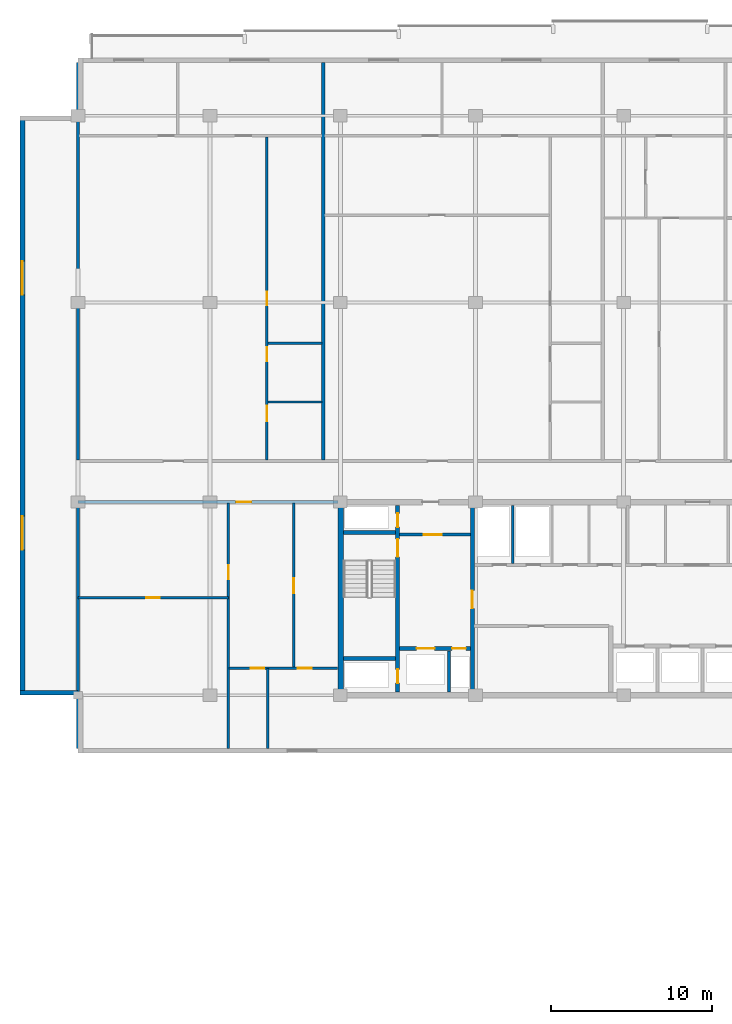
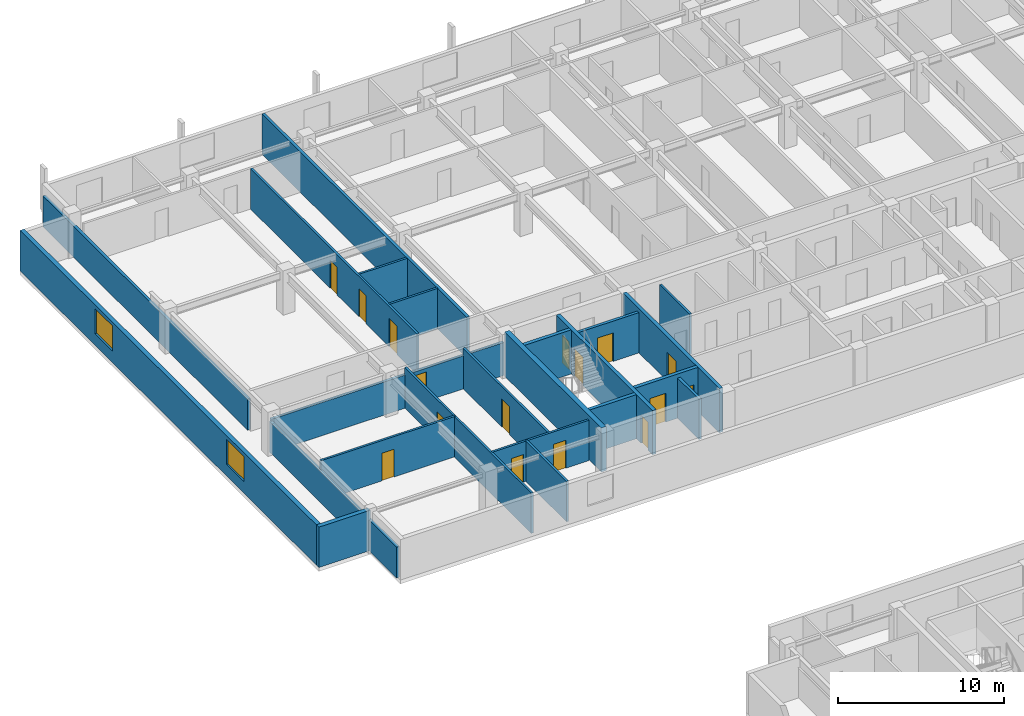
# One storey, part 10 of 21: 23 walls, 16 doors, 2 windows, 18 openings.
"""IFC4 building model written with IfcOpenShell, lengths in metres."""

from ifc_helpers import new_model, si_unit, direction, frame, frame_2d, origin, place, context, subcontext, project, spatial, rectangle, extrude, material, layer, layer_set, type_object, element, fill, save


model = new_model("IFC4")

# Units and contexts
model_context = context("Model", 3, precision=1e-05, world=origin(), true_north=direction((0.0, 1.0)))
body_context = subcontext(model_context, "Body", "Model", "MODEL_VIEW")
ifc_project = project(units=[si_unit("LENGTHUNIT", "METRE"), si_unit("AREAUNIT", "SQUARE_METRE"), si_unit("VOLUMEUNIT", "CUBIC_METRE"), si_unit("PLANEANGLEUNIT", "RADIAN"), si_unit("MASSUNIT", "GRAM", prefix="KILO")], contexts=[model_context])

# Site, building, storey
site_placement = place(None, origin())
site = spatial("IfcSite", under=ifc_project, at=site_placement, CompositionType="ELEMENT")
building_placement = place(site_placement, origin())
building = spatial("IfcBuilding", under=site, at=building_placement, Name="Korimba Cascade Residences", CompositionType="ELEMENT")
storey_placement = place(building_placement, frame((0.0, 0.0, 171.85009765625)))
storey = spatial("IfcBuildingStorey", under=building, at=storey_placement, Name="L49", CompositionType="ELEMENT", Elevation=171.85009765625)

# Wall, openings, windows
ifc_material_1 = material(Name="Precast concrete C40/50", Category="concrete")
ifc_layer_1 = layer(ifc_material_1, 0.300048828125)
ifc_layer_set_1 = layer_set([ifc_layer_1], Name="Precast concrete C40/50")
wall_type_1 = type_object("IfcWallType", Name="EW-STONE-300", PredefinedType="STANDARD", material=ifc_layer_set_1)
wall_1_placement = place(storey_placement, frame((56.35009765625, 91.199951171875, 0.0), z_axis=(0.0, 0.0, 1.0), x_axis=(0.0, -1.0, 0.0)))
wall_1 = element("IfcWall", 1, at=wall_1_placement, inside=storey, type_object=wall_type_1, Name="L49 T1 Perimeter Stone Wall E09", PredefinedType="STANDARD", context=body_context, shape_type="SweptSolid", body=[
    extrude(rectangle(XDim=36.0, YDim=0.300048828125, at=frame_2d((18.0, 0.0))), origin(), (0.0, 0.0, 1.0), 2.969970703125),
])
opening_1_placement = place(wall_1_placement, frame((9.030029296875, 0.0, 0.85009765625)))
opening_1 = element("IfcOpeningElement", 2, at=opening_1_placement, cuts=wall_1, Name="Opening W-03", PredefinedType="OPENING", context=body_context, shape_type="SweptSolid", body=[
    extrude(rectangle(XDim=2.10009765625, YDim=1.85009765625, at=frame_2d((1.050048828125, 0.925048828125))), frame((0.0, 0.16015625, 0.0), z_axis=(0.0, -1.0, 0.0), x_axis=(1.0, 0.0, 0.0)), (0.0, 0.0, 1.0), 0.320068359375),
])
opening_2_placement = place(wall_1_placement, frame((24.8701171875, 0.0, 0.85009765625)))
opening_2 = element("IfcOpeningElement", 3, at=opening_2_placement, cuts=wall_1, Name="Opening W-03", PredefinedType="OPENING", context=body_context, shape_type="SweptSolid", body=[
    extrude(rectangle(XDim=2.10009765625, YDim=1.85009765625, at=frame_2d((1.050048828125, 0.925048828125))), frame((0.0, 0.16015625, 0.0), z_axis=(0.0, -1.0, 0.0), x_axis=(1.0, 0.0, 0.0)), (0.0, 0.0, 1.0), 0.320068359375),
])
ifc_material_2 = material(Name="Double-Glazed Aluminium Window", Category="aluminium")
window_type = type_object("IfcWindowType", Name="WIN-CRN-2100", PartitioningType="DOUBLE_PANEL_HORIZONTAL", PredefinedType="WINDOW", material=ifc_material_2)
window_1_placement = place(opening_1_placement, origin())
window_1 = element("IfcWindow", 4, at=window_1_placement, inside=storey, type_object=window_type, Name="L49 T1 End View Window 9.1", OverallHeight=1.85009765625, OverallWidth=2.10009765625, PartitioningType="DOUBLE_PANEL_HORIZONTAL", PredefinedType="WINDOW", context=body_context, shape_type="SweptSolid", body=[
    extrude(rectangle(XDim=2.10009765625, YDim=1.85009765625, at=frame_2d((1.050048828125, 0.925048828125))), frame((0.0, 0.030029296875, 0.0), z_axis=(0.0, -1.0, 0.0), x_axis=(1.0, 0.0, 0.0)), (0.0, 0.0, 1.0), 0.06005859375),
])
fill(opening_1, window_1)
window_2_placement = place(opening_2_placement, origin())
window_2 = element("IfcWindow", 5, at=window_2_placement, inside=storey, type_object=window_type, Name="L49 T1 End View Window 9.2", OverallHeight=1.85009765625, OverallWidth=2.10009765625, PartitioningType="DOUBLE_PANEL_HORIZONTAL", PredefinedType="WINDOW", context=body_context, shape_type="SweptSolid", body=[
    extrude(rectangle(XDim=2.10009765625, YDim=1.85009765625, at=frame_2d((1.050048828125, 0.925048828125))), frame((0.0, 0.030029296875, 0.0), z_axis=(0.0, -1.0, 0.0), x_axis=(1.0, 0.0, 0.0)), (0.0, 0.0, 1.0), 0.06005859375),
])
fill(opening_2, window_2)

# Walls
wall_2_placement = place(storey_placement, frame((56.199951171875, 55.35009765625, 0.0), z_axis=(0.0, 0.0, 1.0), x_axis=(1.0, 0.0, 0.0)))
element("IfcWall", 6, at=wall_2_placement, inside=storey, type_object=wall_type_1, Name="L49 T1 Perimeter Stone Wall E10", PredefinedType="STANDARD", context=body_context, shape_type="SweptSolid", body=[
    extrude(rectangle(XDim=3.60009765625, YDim=0.300048828125, at=frame_2d((1.800048828125, 0.0))), origin(), (0.0, 0.0, 1.0), 2.969970703125),
])
ifc_material_3 = material(Name="Concrete C65/80", Category="concrete")
ifc_layer_2 = layer(ifc_material_3, 0.35009765625)
ifc_layer_set_2 = layer_set([ifc_layer_2], Name="Concrete C65/80")
wall_type_2 = type_object("IfcWallType", Name="WAL-CORE-350", PredefinedType="SHEAR", material=ifc_layer_set_2)
wall_3_placement = place(storey_placement, frame((76.125, 55.375, 0.0), z_axis=(0.0, 0.0, 1.0), x_axis=(0.0, 1.0, 0.0)))
element("IfcWall", 7, at=wall_3_placement, inside=storey, type_object=wall_type_2, Name="L49 Core Shear Wall CW-L49-T1-W", PredefinedType="SHEAR", context=body_context, shape_type="SweptSolid", body=[
    extrude(rectangle(XDim=11.64990234375, YDim=0.35009765625, at=frame_2d((5.824951171875, 0.0))), origin(), (0.0, 0.0, 1.0), 3.25),
])
ifc_layer_3 = layer(ifc_material_1, 0.199951171875)
ifc_layer_set_3 = layer_set([ifc_layer_3], Name="Precast concrete C40/50")
wall_type_3 = type_object("IfcWallType", Name="WAL-IT-200", PredefinedType="PARTITIONING", material=ifc_layer_set_3)
wall_4_placement = place(storey_placement, frame((59.800048828125, 51.89990234375, 0.0), z_axis=(0.0, 0.0, 1.0), x_axis=(0.0, 1.0, 0.0)))
element("IfcWall", 8, at=wall_4_placement, inside=storey, type_object=wall_type_3, Name="L49 Partition Wall WAL-L49-T1-FW-WL", PredefinedType="PARTITIONING", context=body_context, shape_type="SweptSolid", body=[
    extrude(rectangle(XDim=15.300048828125, YDim=0.199951171875, at=frame_2d((7.64990234375, 0.0))), origin(), (0.0, 0.0, 1.0), 2.277099609375),
])

# Wall, opening, door
wall_5_placement = place(storey_placement, frame((59.800048828125, 67.199951171875, 0.0), z_axis=(0.0, 0.0, 1.0), x_axis=(1.0, 0.0, 0.0)))
wall_5 = element("IfcWall", 9, at=wall_5_placement, inside=storey, type_object=wall_type_3, Name="L49 Partition Wall WAL-L49-T1-FW-N", PredefinedType="PARTITIONING", context=body_context, shape_type="SweptSolid", body=[
    extrude(rectangle(XDim=16.14990234375, YDim=0.199951171875, at=frame_2d((8.074951171875, 0.0))), origin(), (0.0, 0.0, 1.0), 2.43310546875),
])
opening_3_placement = place(wall_5_placement, frame((9.823486328125, 0.0, 0.0)))
opening_3 = element("IfcOpeningElement", 10, at=opening_3_placement, cuts=wall_5, Name="Opening D-UN1", PredefinedType="OPENING", context=body_context, shape_type="SweptSolid", body=[
    extrude(rectangle(XDim=0.949951171875, YDim=2.14990234375, at=frame_2d((0.47509765625, 1.074951171875))), frame((0.0, 0.10986328125, 0.0), z_axis=(0.0, -1.0, 0.0), x_axis=(1.0, 0.0, 0.0)), (0.0, 0.0, 1.0), 0.219970703125),
])
ifc_material_4 = material(Name="Fire-Rated Hardwood Apartment Entrance Door", Category="wood")
door_type_1 = type_object("IfcDoorType", Name="DR-FD60-950", OperationType="NOTDEFINED", PredefinedType="DOOR", material=ifc_material_4)
door_1_placement = place(opening_3_placement, origin())
door_1 = element("IfcDoor", 11, at=door_1_placement, inside=storey, type_object=door_type_1, Name="L49-T1-FW Entrance Door", OperationType="SINGLE_SWING_RIGHT", OverallHeight=2.14990234375, OverallWidth=0.949951171875, PredefinedType="DOOR", context=body_context, shape_type="SweptSolid", body=[
    extrude(rectangle(XDim=0.949951171875, YDim=2.14990234375, at=frame_2d((0.47509765625, 1.074951171875))), frame((0.0, 0.02490234375, 0.0), z_axis=(0.0, -1.0, 0.0), x_axis=(1.0, 0.0, 0.0)), (0.0, 0.0, 1.0), 0.050048828125),
])
fill(opening_3, door_1)

# Walls
wall_6_placement = place(storey_placement, frame((59.800048828125, 69.830078125, 0.0), z_axis=(0.0, 0.0, 1.0), x_axis=(0.0, 1.0, 0.0)))
element("IfcWall", 12, at=wall_6_placement, inside=storey, type_object=wall_type_3, Name="L49 Partition Wall WAL-L49-T1-BNDWL", PredefinedType="PARTITIONING", context=body_context, shape_type="SweptSolid", body=[
    extrude(rectangle(XDim=24.669921875, YDim=0.199951171875, at=frame_2d((12.3349609375, 0.0))), origin(), (0.0, 0.0, 1.0), 2.277099609375),
])
wall_7_placement = place(storey_placement, frame((75.04150390625, 69.830078125, 0.0), z_axis=(0.0, 0.0, 1.0), x_axis=(0.0, 1.0, 0.0)))
element("IfcWall", 13, at=wall_7_placement, inside=storey, type_object=wall_type_3, Name="L49 Partition Wall WAL-L49-T1-DEM-1", PredefinedType="PARTITIONING", context=body_context, shape_type="SweptSolid", body=[
    extrude(rectangle(XDim=24.669921875, YDim=0.199951171875, at=frame_2d((12.3349609375, 0.0))), origin(), (0.0, 0.0, 1.0), 2.969970703125),
])
ifc_material_5 = material(Name="Insulated Acoustic Stud Partition", Category="gypsum")
ifc_layer_4 = layer(ifc_material_5, 0.14990234375)
ifc_layer_set_4 = layer_set([ifc_layer_4], Name="Insulated Acoustic Stud Partition")
wall_type_4 = type_object("IfcWallType", Name="WAL-PART-150", PredefinedType="PARTITIONING", material=ifc_layer_set_4)
wall_8_placement = place(storey_placement, frame((86.800048828125, 63.39990234375, 0.0), z_axis=(0.0, 0.0, 1.0), x_axis=(0.0, 1.0, 0.0)))
element("IfcWall", 14, at=wall_8_placement, inside=storey, type_object=wall_type_4, Name="L49 Partition Wall CW-L49-T1-ERDIV", PredefinedType="PARTITIONING", context=body_context, shape_type="SweptSolid", body=[
    extrude(rectangle(XDim=3.60009765625, YDim=0.14990234375, at=frame_2d((1.800048828125, 0.0))), origin(), (0.0, 0.0, 1.0), 2.969970703125),
])

# Wall, opening, door
wall_9_placement = place(storey_placement, frame((59.800048828125, 61.25, 0.0), z_axis=(0.0, 0.0, 1.0), x_axis=(1.0, 0.0, 0.0)))
wall_9 = element("IfcWall", 15, at=wall_9_placement, inside=storey, type_object=wall_type_4, Name="L49 Partition Wall WAL-L49-T1-FW-STH", PredefinedType="PARTITIONING", context=body_context, shape_type="SweptSolid", body=[
    extrude(rectangle(XDim=9.349853515625, YDim=0.14990234375, at=frame_2d((4.6748046875, 0.0))), origin(), (0.0, 0.0, 1.0), 2.969970703125),
])
opening_4_placement = place(wall_9_placement, frame((4.2548828125, 0.0, 0.0)))
opening_4 = element("IfcOpeningElement", 16, at=opening_4_placement, cuts=wall_9, Name="Opening D-BT1", PredefinedType="OPENING", context=body_context, shape_type="SweptSolid", body=[
    extrude(rectangle(XDim=0.840087890625, YDim=2.0400390625, at=frame_2d((0.419921875, 1.02001953125))), frame((0.0, 0.0849609375, 0.0), z_axis=(0.0, -1.0, 0.0), x_axis=(1.0, 0.0, 0.0)), (0.0, 0.0, 1.0), 0.169921875),
])
ifc_material_6 = material(Name="Moisture-Resistant Bathroom Timber Door", Category="wood")
door_type_2 = type_object("IfcDoorType", Name="DR-INT-850", OperationType="NOTDEFINED", PredefinedType="DOOR", material=ifc_material_6)
door_2_placement = place(opening_4_placement, origin())
door_2 = element("IfcDoor", 17, at=door_2_placement, inside=storey, type_object=door_type_2, Name="L49-T1-FW Dressing Store Door", OperationType="SINGLE_SWING_LEFT", OverallHeight=2.0400390625, OverallWidth=0.840087890625, PredefinedType="DOOR", context=body_context, shape_type="SweptSolid", body=[
    extrude(rectangle(XDim=0.840087890625, YDim=2.0400390625, at=frame_2d((0.419921875, 1.02001953125))), frame((0.0, 0.02490234375, 0.0), z_axis=(0.0, -1.0, 0.0), x_axis=(1.0, 0.0, 0.0)), (0.0, 0.0, 1.0), 0.050048828125),
])
fill(opening_4, door_2)

wall_10_placement = place(storey_placement, frame((69.14990234375, 51.89990234375, 0.0), z_axis=(0.0, 0.0, 1.0), x_axis=(0.0, 1.0, 0.0)))
wall_10 = element("IfcWall", 18, at=wall_10_placement, inside=storey, type_object=wall_type_4, Name="L49 Partition Wall WAL-L49-T1-FW-STV", PredefinedType="PARTITIONING", context=body_context, shape_type="SweptSolid", body=[
    extrude(rectangle(XDim=15.25, YDim=0.14990234375, at=frame_2d((7.625, 0.0))), origin(), (0.0, 0.0, 1.0), 2.969970703125),
])
opening_5_placement = place(wall_10_placement, frame((10.5, 0.0, 0.0)))
opening_5 = element("IfcOpeningElement", 19, at=opening_5_placement, cuts=wall_10, Name="Opening D-IN2", PredefinedType="OPENING", context=body_context, shape_type="SweptSolid", body=[
    extrude(rectangle(XDim=0.8798828125, YDim=2.06005859375, at=frame_2d((0.43994140625, 1.030029296875))), frame((0.0, 0.0849609375, 0.0), z_axis=(0.0, -1.0, 0.0), x_axis=(1.0, 0.0, 0.0)), (0.0, 0.0, 1.0), 0.169921875),
])
ifc_material_7 = material(Name="Acoustic Timber Bedroom Door", Category="wood")
door_type_3 = type_object("IfcDoorType", Name="DR-INT-880", OperationType="NOTDEFINED", PredefinedType="DOOR", material=ifc_material_7)
door_3_placement = place(opening_5_placement, origin())
door_3 = element("IfcDoor", 20, at=door_3_placement, inside=storey, type_object=door_type_3, Name="L49-T1-FW Study Door", OperationType="SINGLE_SWING_RIGHT", OverallHeight=2.06005859375, OverallWidth=0.8798828125, PredefinedType="DOOR", context=body_context, shape_type="SweptSolid", body=[
    extrude(rectangle(XDim=0.8798828125, YDim=2.06005859375, at=frame_2d((0.43994140625, 1.030029296875))), frame((0.0, 0.02490234375, 0.0), z_axis=(0.0, -1.0, 0.0), x_axis=(1.0, 0.0, 0.0)), (0.0, 0.0, 1.0), 0.050048828125),
])
fill(opening_5, door_3)

wall_11_placement = place(storey_placement, frame((73.199951171875, 56.8701171875, 0.0), z_axis=(0.0, 0.0, 1.0), x_axis=(0.0, 1.0, 0.0)))
wall_11 = element("IfcWall", 21, at=wall_11_placement, inside=storey, type_object=wall_type_4, Name="L49 Partition Wall WAL-L49-T1-FW-VN", PredefinedType="PARTITIONING", context=body_context, shape_type="SweptSolid", body=[
    extrude(rectangle(XDim=10.27978515625, YDim=0.14990234375, at=frame_2d((5.139892578125, 0.0))), origin(), (0.0, 0.0, 1.0), 2.969970703125),
])
opening_6_placement = place(wall_11_placement, frame((4.679931640625, 0.0, 0.0)))
opening_6 = element("IfcOpeningElement", 22, at=opening_6_placement, cuts=wall_11, Name="Opening D-IN1", PredefinedType="OPENING", context=body_context, shape_type="SweptSolid", body=[
    extrude(rectangle(XDim=0.919921875, YDim=2.080078125, at=frame_2d((0.4599609375, 1.0400390625))), frame((0.0, 0.0849609375, 0.0), z_axis=(0.0, -1.0, 0.0), x_axis=(1.0, 0.0, 0.0)), (0.0, 0.0, 1.0), 0.169921875),
])
ifc_material_8 = material(Name="Acoustic Timber Living Door", Category="wood")
door_type_4 = type_object("IfcDoorType", Name="DR-INT-920", OperationType="NOTDEFINED", PredefinedType="DOOR", material=ifc_material_8)
door_4_placement = place(opening_6_placement, origin())
door_4 = element("IfcDoor", 23, at=door_4_placement, inside=storey, type_object=door_type_4, Name="L49-T1-FW Living Door", OperationType="SINGLE_SWING_LEFT", OverallHeight=2.080078125, OverallWidth=0.919921875, PredefinedType="DOOR", context=body_context, shape_type="SweptSolid", body=[
    extrude(rectangle(XDim=0.919921875, YDim=2.080078125, at=frame_2d((0.4599609375, 1.0400390625))), frame((0.0, 0.02490234375, 0.0), z_axis=(0.0, -1.0, 0.0), x_axis=(1.0, 0.0, 0.0)), (0.0, 0.0, 1.0), 0.050048828125),
])
fill(opening_6, door_4)

# Wall
wall_12_placement = place(storey_placement, frame((71.60009765625, 51.89990234375, 0.0), z_axis=(0.0, 0.0, 1.0), x_axis=(0.0, 1.0, 0.0)))
element("IfcWall", 24, at=wall_12_placement, inside=storey, type_object=wall_type_4, Name="L49 Partition Wall WAL-L49-T1-FW-VS", PredefinedType="PARTITIONING", context=body_context, shape_type="SweptSolid", body=[
    extrude(rectangle(XDim=4.97021484375, YDim=0.14990234375, at=frame_2d((2.485107421875, 0.0))), origin(), (0.0, 0.0, 1.0), 2.969970703125),
])

# Wall, openings, doors
wall_13_placement = place(storey_placement, frame((69.169921875, 56.8701171875, 0.0), z_axis=(0.0, 0.0, 1.0), x_axis=(1.0, 0.0, 0.0)))
wall_13 = element("IfcWall", 25, at=wall_13_placement, inside=storey, type_object=wall_type_4, Name="L49 Partition Wall WAL-L49-T1-FW-H", PredefinedType="PARTITIONING", context=body_context, shape_type="SweptSolid", body=[
    extrude(rectangle(XDim=6.760009765625, YDim=0.14990234375, at=frame_2d((3.3798828125, 0.0))), origin(), (0.0, 0.0, 1.0), 2.969970703125),
])
opening_7_placement = place(wall_13_placement, frame((1.3623046875, 0.0, 0.0)))
opening_7 = element("IfcOpeningElement", 26, at=opening_7_placement, cuts=wall_13, Name="Opening D-BT1", PredefinedType="OPENING", context=body_context, shape_type="SweptSolid", body=[
    extrude(rectangle(XDim=0.840087890625, YDim=2.0400390625, at=frame_2d((0.419921875, 1.02001953125))), frame((0.0, 0.0849609375, 0.0), z_axis=(0.0, -1.0, 0.0), x_axis=(1.0, 0.0, 0.0)), (0.0, 0.0, 1.0), 0.169921875),
])
opening_8_placement = place(wall_13_placement, frame((4.276611328125, 0.0, 0.0)))
opening_8 = element("IfcOpeningElement", 27, at=opening_8_placement, cuts=wall_13, Name="Opening D-IN2", PredefinedType="OPENING", context=body_context, shape_type="SweptSolid", body=[
    extrude(rectangle(XDim=0.8798828125, YDim=2.06005859375, at=frame_2d((0.43994140625, 1.030029296875))), frame((0.0, 0.0849609375, 0.0), z_axis=(0.0, -1.0, 0.0), x_axis=(1.0, 0.0, 0.0)), (0.0, 0.0, 1.0), 0.169921875),
])
door_5_placement = place(opening_7_placement, origin())
door_5 = element("IfcDoor", 28, at=door_5_placement, inside=storey, type_object=door_type_2, Name="L49-T1-FW Bathroom Door", OperationType="SINGLE_SWING_RIGHT", OverallHeight=2.0400390625, OverallWidth=0.840087890625, PredefinedType="DOOR", context=body_context, shape_type="SweptSolid", body=[
    extrude(rectangle(XDim=0.840087890625, YDim=2.0400390625, at=frame_2d((0.419921875, 1.02001953125))), frame((0.0, 0.02490234375, 0.0), z_axis=(0.0, -1.0, 0.0), x_axis=(1.0, 0.0, 0.0)), (0.0, 0.0, 1.0), 0.050048828125),
])
fill(opening_7, door_5)
door_6_placement = place(opening_8_placement, origin())
door_6 = element("IfcDoor", 29, at=door_6_placement, inside=storey, type_object=door_type_3, Name="L49-T1-FW Bedroom Door", OperationType="SINGLE_SWING_LEFT", OverallHeight=2.06005859375, OverallWidth=0.8798828125, PredefinedType="DOOR", context=body_context, shape_type="SweptSolid", body=[
    extrude(rectangle(XDim=0.8798828125, YDim=2.06005859375, at=frame_2d((0.43994140625, 1.030029296875))), frame((0.0, 0.02490234375, 0.0), z_axis=(0.0, -1.0, 0.0), x_axis=(1.0, 0.0, 0.0)), (0.0, 0.0, 1.0), 0.050048828125),
])
fill(opening_8, door_6)

# Walls
for number, where, z_axis, x_axis, name in (
    (30, (71.601318359375, 73.419921875, 0.0), (0.0, 0.0, 1.0), (1.0, 0.0, 0.0), "L49 Partition Wall WAL-L49-T1-U01-WCH"),
    (31, (71.601318359375, 77.070068359375, 0.0), (0.0, 0.0, 1.0), (1.0, 0.0, 0.0), "L49 Partition Wall WAL-L49-T1-U01-WCH2"),
):
    element("IfcWall", number, at=place(storey_placement, frame(where, z_axis=z_axis, x_axis=x_axis)), inside=storey, type_object=wall_type_4, Name=name, PredefinedType="PARTITIONING", context=body_context, shape_type="SweptSolid", body=[
        extrude(rectangle(XDim=3.360107421875, YDim=0.14990234375, at=frame_2d((1.68017578125, 0.0))), origin(), (0.0, 0.0, 1.0), 2.969970703125),
    ])

# Wall, openings, doors
wall_14_placement = place(storey_placement, frame((71.54150390625, 69.81005859375, 0.0), z_axis=(0.0, 0.0, 1.0), x_axis=(0.0, 1.0, 0.0)))
wall_14 = element("IfcWall", 32, at=wall_14_placement, inside=storey, type_object=wall_type_4, Name="L49 Partition Wall WAL-L49-T1-U01-WCV", PredefinedType="PARTITIONING", context=body_context, shape_type="SweptSolid", body=[
    extrude(rectangle(XDim=20.079833984375, YDim=0.14990234375, at=frame_2d((10.0400390625, 0.0))), origin(), (0.0, 0.0, 1.0), 2.969970703125),
])
opening_9_placement = place(wall_14_placement, frame((2.406005859375, 0.0, 0.0)))
opening_9 = element("IfcOpeningElement", 33, at=opening_9_placement, cuts=wall_14, Name="Opening D-AC1", PredefinedType="OPENING", context=body_context, shape_type="SweptSolid", body=[
    extrude(rectangle(XDim=0.9599609375, YDim=2.10009765625, at=frame_2d((0.47998046875, 1.050048828125))), frame((0.0, 0.0849609375, 0.0), z_axis=(0.0, -1.0, 0.0), x_axis=(1.0, 0.0, 0.0)), (0.0, 0.0, 1.0), 0.169921875),
])
opening_10_placement = place(wall_14_placement, frame((6.132568359375, 0.0, 0.0)))
opening_10 = element("IfcOpeningElement", 34, at=opening_10_placement, cuts=wall_14, Name="Opening D-IN2", PredefinedType="OPENING", context=body_context, shape_type="SweptSolid", body=[
    extrude(rectangle(XDim=0.8798828125, YDim=2.06005859375, at=frame_2d((0.43994140625, 1.030029296875))), frame((0.0, 0.0849609375, 0.0), z_axis=(0.0, -1.0, 0.0), x_axis=(1.0, 0.0, 0.0)), (0.0, 0.0, 1.0), 0.169921875),
])
opening_11_placement = place(wall_14_placement, frame((9.6201171875, 0.0, 0.0)))
opening_11 = element("IfcOpeningElement", 35, at=opening_11_placement, cuts=wall_14, Name="Opening D-BT1", PredefinedType="OPENING", context=body_context, shape_type="SweptSolid", body=[
    extrude(rectangle(XDim=0.840087890625, YDim=2.0400390625, at=frame_2d((0.419921875, 1.02001953125))), frame((0.0, 0.0849609375, 0.0), z_axis=(0.0, -1.0, 0.0), x_axis=(1.0, 0.0, 0.0)), (0.0, 0.0, 1.0), 0.169921875),
])
ifc_material_9 = material(Name="Accessible Acoustic Timber WC Door", Category="wood")
door_type_5 = type_object("IfcDoorType", Name="DR-ACC-950", OperationType="NOTDEFINED", PredefinedType="DOOR", material=ifc_material_9)
door_7_placement = place(opening_9_placement, origin())
door_7 = element("IfcDoor", 36, at=door_7_placement, inside=storey, type_object=door_type_5, Name="L49-T1-U01 Accessible WC Door", OperationType="SINGLE_SWING_LEFT", OverallHeight=2.10009765625, OverallWidth=0.9599609375, PredefinedType="DOOR", context=body_context, shape_type="SweptSolid", body=[
    extrude(rectangle(XDim=0.9599609375, YDim=2.10009765625, at=frame_2d((0.47998046875, 1.050048828125))), frame((0.0, 0.02490234375, 0.0), z_axis=(0.0, -1.0, 0.0), x_axis=(1.0, 0.0, 0.0)), (0.0, 0.0, 1.0), 0.050048828125),
])
fill(opening_9, door_7)
door_8_placement = place(opening_11_placement, origin())
door_8 = element("IfcDoor", 37, at=door_8_placement, inside=storey, type_object=door_type_2, Name="L49-T1-U01 Suite Store Door", OperationType="SINGLE_SWING_LEFT", OverallHeight=2.0400390625, OverallWidth=0.840087890625, PredefinedType="DOOR", context=body_context, shape_type="SweptSolid", body=[
    extrude(rectangle(XDim=0.840087890625, YDim=2.0400390625, at=frame_2d((0.419921875, 1.02001953125))), frame((0.0, 0.02490234375, 0.0), z_axis=(0.0, -1.0, 0.0), x_axis=(1.0, 0.0, 0.0)), (0.0, 0.0, 1.0), 0.050048828125),
])
fill(opening_11, door_8)
door_9_placement = place(opening_10_placement, origin())
door_9 = element("IfcDoor", 38, at=door_9_placement, inside=storey, type_object=door_type_3, Name="L49-T1-U01 Restroom WC Door", OperationType="SINGLE_SWING_RIGHT", OverallHeight=2.06005859375, OverallWidth=0.8798828125, PredefinedType="DOOR", context=body_context, shape_type="SweptSolid", body=[
    extrude(rectangle(XDim=0.8798828125, YDim=2.06005859375, at=frame_2d((0.43994140625, 1.030029296875))), frame((0.0, 0.02490234375, 0.0), z_axis=(0.0, -1.0, 0.0), x_axis=(1.0, 0.0, 0.0)), (0.0, 0.0, 1.0), 0.050048828125),
])
fill(opening_10, door_9)

# Wall
ifc_material_10 = material(Name="Concrete C40/50", Category="concrete")
ifc_layer_5 = layer(ifc_material_10, 0.199951171875)
ifc_layer_set_5 = layer_set([ifc_layer_5], Name="Concrete C40/50")
wall_type_5 = type_object("IfcWallType", Name="WAL-PART-200", PredefinedType="PARTITIONING", material=ifc_layer_set_5)
wall_15_placement = place(storey_placement, frame((82.85009765625, 55.39990234375, 0.0), z_axis=(0.0, 0.0, 1.0), x_axis=(0.0, 1.0, 0.0)))
element("IfcWall", 39, at=wall_15_placement, inside=storey, type_object=wall_type_5, Name="L49 Partition Wall CW-L49-T1-FFLDIV", PredefinedType="PARTITIONING", context=body_context, shape_type="SweptSolid", body=[
    extrude(rectangle(XDim=2.56005859375, YDim=0.199951171875, at=frame_2d((1.280029296875, 0.0))), origin(), (0.0, 0.0, 1.0), 2.969970703125),
])

# Wall, opening, door
wall_16_placement = place(storey_placement, frame((79.7900390625, 65.179931640625, 0.0), z_axis=(0.0, 0.0, 1.0), x_axis=(1.0, 0.0, 0.0)))
wall_16 = element("IfcWall", 40, at=wall_16_placement, inside=storey, type_object=wall_type_5, Name="L49 Partition Wall CW-L49-T1-FFLN", PredefinedType="PARTITIONING", context=body_context, shape_type="SweptSolid", body=[
    extrude(rectangle(XDim=4.389892578125, YDim=0.199951171875, at=frame_2d((2.19482421875, 0.0))), origin(), (0.0, 0.0, 1.0), 2.969970703125),
])
opening_12_placement = place(wall_16_placement, frame((1.5, 0.0, 0.0)))
opening_12 = element("IfcOpeningElement", 41, at=opening_12_placement, cuts=wall_16, Name="Opening D-FD1", PredefinedType="OPENING", context=body_context, shape_type="SweptSolid", body=[
    extrude(rectangle(XDim=1.10009765625, YDim=2.10009765625, at=frame_2d((0.550048828125, 1.050048828125))), frame((0.0, 0.10986328125, 0.0), z_axis=(0.0, -1.0, 0.0), x_axis=(1.0, 0.0, 0.0)), (0.0, 0.0, 1.0), 0.219970703125),
])
ifc_material_11 = material(Name="Fire-Rated Steel Core Door", Category="steel")
door_type_6 = type_object("IfcDoorType", Name="DR-FD120-1100", OperationType="NOTDEFINED", PredefinedType="DOOR", material=ifc_material_11)
door_10_placement = place(opening_12_placement, origin())
door_10 = element("IfcDoor", 42, at=door_10_placement, inside=storey, type_object=door_type_6, Name="L49 West Firefighting Lobby Door", OperationType="SINGLE_SWING_LEFT", OverallHeight=2.10009765625, OverallWidth=1.10009765625, PredefinedType="DOOR", context=body_context, shape_type="SweptSolid", body=[
    extrude(rectangle(XDim=1.10009765625, YDim=2.10009765625, at=frame_2d((0.550048828125, 1.050048828125))), frame((0.0, 0.02490234375, 0.0), z_axis=(0.0, -1.0, 0.0), x_axis=(1.0, 0.0, 0.0)), (0.0, 0.0, 1.0), 0.050048828125),
])
fill(opening_12, door_10)

# Wall, openings, doors
ifc_material_12 = material(Name="Concrete C50/60", Category="concrete")
ifc_layer_6 = layer(ifc_material_12, 0.25)
ifc_layer_set_6 = layer_set([ifc_layer_6], Name="Concrete C50/60")
wall_type_6 = type_object("IfcWallType", Name="WAL-SHAFT-250", PredefinedType="SHEAR", material=ifc_layer_set_6)
wall_17_placement = place(storey_placement, frame((79.6650390625, 55.39990234375, 0.0), z_axis=(0.0, 0.0, 1.0), x_axis=(0.0, 1.0, 0.0)))
wall_17 = element("IfcWall", 43, at=wall_17_placement, inside=storey, type_object=wall_type_6, Name="L49 Core Shear Wall CW-L49-T1-STW1E", PredefinedType="SHEAR", context=body_context, shape_type="SweptSolid", body=[
    extrude(rectangle(XDim=11.60009765625, YDim=0.25, at=frame_2d((5.800048828125, 0.0))), origin(), (0.0, 0.0, 1.0), 3.25),
])
opening_13_placement = place(wall_17_placement, frame((0.550048828125, 0.0, 0.0)))
opening_13 = element("IfcOpeningElement", 44, at=opening_13_placement, cuts=wall_17, Name="Opening D-RS1", PredefinedType="OPENING", context=body_context, shape_type="SweptSolid", body=[
    extrude(rectangle(XDim=0.85009765625, YDim=2.050048828125, at=frame_2d((0.425048828125, 1.02490234375))), frame((0.0, 0.135009765625, 0.0), z_axis=(0.0, -1.0, 0.0), x_axis=(1.0, 0.0, 0.0)), (0.0, 0.0, 1.0), 0.27001953125),
])
opening_14_placement = place(wall_17_placement, frame((8.39990234375, 0.0, 0.0)))
opening_14 = element("IfcOpeningElement", 45, at=opening_14_placement, cuts=wall_17, Name="Opening D-FD1", PredefinedType="OPENING", context=body_context, shape_type="SweptSolid", body=[
    extrude(rectangle(XDim=1.10009765625, YDim=2.10009765625, at=frame_2d((0.550048828125, 1.050048828125))), frame((0.0, 0.135009765625, 0.0), z_axis=(0.0, -1.0, 0.0), x_axis=(1.0, 0.0, 0.0)), (0.0, 0.0, 1.0), 0.27001953125),
])
opening_15_placement = place(wall_17_placement, frame((10.25, 0.0, 0.0)))
opening_15 = element("IfcOpeningElement", 46, at=opening_15_placement, cuts=wall_17, Name="Opening D-RS1", PredefinedType="OPENING", context=body_context, shape_type="SweptSolid", body=[
    extrude(rectangle(XDim=0.85009765625, YDim=2.050048828125, at=frame_2d((0.425048828125, 1.02490234375))), frame((0.0, 0.135009765625, 0.0), z_axis=(0.0, -1.0, 0.0), x_axis=(1.0, 0.0, 0.0)), (0.0, 0.0, 1.0), 0.27001953125),
])
door_11_placement = place(opening_14_placement, origin())
door_11 = element("IfcDoor", 47, at=door_11_placement, inside=storey, type_object=door_type_6, Name="L49 Fire Stair ST-W1 Door", OperationType="SINGLE_SWING_RIGHT", OverallHeight=2.10009765625, OverallWidth=1.10009765625, PredefinedType="DOOR", context=body_context, shape_type="SweptSolid", body=[
    extrude(rectangle(XDim=1.10009765625, YDim=2.10009765625, at=frame_2d((0.550048828125, 1.050048828125))), frame((0.0, 0.02490234375, 0.0), z_axis=(0.0, -1.0, 0.0), x_axis=(1.0, 0.0, 0.0)), (0.0, 0.0, 1.0), 0.050048828125),
])
fill(opening_14, door_11)
ifc_material_13 = material(Name="Fire-Rated Steel Riser Access Door", Category="steel")
door_type_7 = type_object("IfcDoorType", Name="DR-FD60-850", OperationType="NOTDEFINED", PredefinedType="DOOR", material=ifc_material_13)
door_12_placement = place(opening_13_placement, origin())
door_12 = element("IfcDoor", 48, at=door_12_placement, inside=storey, type_object=door_type_7, Name="L49 Smoke Riser Access Door", OperationType="SINGLE_SWING_LEFT", OverallHeight=2.050048828125, OverallWidth=0.85009765625, PredefinedType="DOOR", context=body_context, shape_type="SweptSolid", body=[
    extrude(rectangle(XDim=0.85009765625, YDim=2.050048828125, at=frame_2d((0.425048828125, 1.02490234375))), frame((0.0, 0.02490234375, 0.0), z_axis=(0.0, -1.0, 0.0), x_axis=(1.0, 0.0, 0.0)), (0.0, 0.0, 1.0), 0.050048828125),
])
fill(opening_13, door_12)
door_13_placement = place(opening_15_placement, origin())
door_13 = element("IfcDoor", 49, at=door_13_placement, inside=storey, type_object=door_type_7, Name="L49 Hydrant Riser Access Door", OperationType="SINGLE_SWING_LEFT", OverallHeight=2.050048828125, OverallWidth=0.85009765625, PredefinedType="DOOR", context=body_context, shape_type="SweptSolid", body=[
    extrude(rectangle(XDim=0.85009765625, YDim=2.050048828125, at=frame_2d((0.425048828125, 1.02490234375))), frame((0.0, 0.02490234375, 0.0), z_axis=(0.0, -1.0, 0.0), x_axis=(1.0, 0.0, 0.0)), (0.0, 0.0, 1.0), 0.050048828125),
])
fill(opening_15, door_13)

# Walls
for number, where, z_axis, x_axis, name in (
    (50, (76.300048828125, 57.47509765625, 0.0), (0.0, 0.0, 1.0), (1.0, 0.0, 0.0), "L49 Core Shear Wall CW-L49-T1-STW1S"),
    (51, (76.300048828125, 65.324951171875, 0.0), (0.0, 0.0, 1.0), (1.0, 0.0, 0.0), "L49 Core Shear Wall CW-L49-T1-STW1N"),
):
    element("IfcWall", number, at=place(storey_placement, frame(where, z_axis=z_axis, x_axis=x_axis)), inside=storey, type_object=wall_type_6, Name=name, PredefinedType="SHEAR", context=body_context, shape_type="SweptSolid", body=[
        extrude(rectangle(XDim=3.239990234375, YDim=0.25, at=frame_2d((1.6201171875, 0.0))), origin(), (0.0, 0.0, 1.0), 3.25),
    ])

# Wall, openings, doors
wall_18_placement = place(storey_placement, frame((79.7900390625, 58.10009765625, 0.0), z_axis=(0.0, 0.0, 1.0), x_axis=(1.0, 0.0, 0.0)))
wall_18 = element("IfcWall", 52, at=wall_18_placement, inside=storey, type_object=wall_type_6, Name="L49 Core Shear Wall CW-L49-T1-FFLS", PredefinedType="SHEAR", context=body_context, shape_type="SweptSolid", body=[
    extrude(rectangle(XDim=4.389892578125, YDim=0.25, at=frame_2d((2.19482421875, 0.0))), origin(), (0.0, 0.0, 1.0), 3.25),
])
opening_16_placement = place(wall_18_placement, frame((1.050048828125, 0.0, 0.0)))
opening_16 = element("IfcOpeningElement", 53, at=opening_16_placement, cuts=wall_18, Name="Opening LD-01", PredefinedType="OPENING", context=body_context, shape_type="SweptSolid", body=[
    extrude(rectangle(XDim=1.1201171875, YDim=2.1201171875, at=frame_2d((0.56005859375, 1.06005859375))), frame((0.0, 0.135009765625, 0.0), z_axis=(0.0, -1.0, 0.0), x_axis=(1.0, 0.0, 0.0)), (0.0, 0.0, 1.0), 0.27001953125),
])
opening_17_placement = place(wall_18_placement, frame((3.260009765625, 0.0, 0.0)))
opening_17 = element("IfcOpeningElement", 54, at=opening_17_placement, cuts=wall_18, Name="Opening D-RS1", PredefinedType="OPENING", context=body_context, shape_type="SweptSolid", body=[
    extrude(rectangle(XDim=0.85009765625, YDim=2.050048828125, at=frame_2d((0.425048828125, 1.02490234375))), frame((0.0, 0.135009765625, 0.0), z_axis=(0.0, -1.0, 0.0), x_axis=(1.0, 0.0, 0.0)), (0.0, 0.0, 1.0), 0.27001953125),
])
door_14_placement = place(opening_17_placement, origin())
door_14 = element("IfcDoor", 55, at=door_14_placement, inside=storey, type_object=door_type_7, Name="L49 Pressurisation Riser Door", OperationType="SINGLE_SWING_RIGHT", OverallHeight=2.050048828125, OverallWidth=0.85009765625, PredefinedType="DOOR", context=body_context, shape_type="SweptSolid", body=[
    extrude(rectangle(XDim=0.85009765625, YDim=2.050048828125, at=frame_2d((0.425048828125, 1.02490234375))), frame((0.0, 0.02490234375, 0.0), z_axis=(0.0, -1.0, 0.0), x_axis=(1.0, 0.0, 0.0)), (0.0, 0.0, 1.0), 0.050048828125),
])
fill(opening_17, door_14)
ifc_material_14 = material(Name="Stainless Steel Lift Landing Sliding Door", Category="steel")
door_type_8 = type_object("IfcDoorType", Name="DR-LIFT-1100", OperationType="NOTDEFINED", PredefinedType="DOOR", material=ifc_material_14)
door_15_placement = place(opening_16_placement, origin())
door_15 = element("IfcDoor", 56, at=door_15_placement, inside=storey, type_object=door_type_8, Name="L49 Firefighting Lift Landing Door FFL-W1", OperationType="SLIDING_TO_LEFT", OverallHeight=2.1201171875, OverallWidth=1.1201171875, PredefinedType="DOOR", context=body_context, shape_type="SweptSolid", body=[
    extrude(rectangle(XDim=1.1201171875, YDim=2.1201171875, at=frame_2d((0.56005859375, 1.06005859375))), frame((0.0, 0.02490234375, 0.0), z_axis=(0.0, -1.0, 0.0), x_axis=(1.0, 0.0, 0.0)), (0.0, 0.0, 1.0), 0.050048828125),
])
fill(opening_16, door_15)

# Wall, opening, door
wall_19_placement = place(storey_placement, frame((84.300048828125, 55.39990234375, 0.0), z_axis=(0.0, 0.0, 1.0), x_axis=(0.0, 1.0, 0.0)))
wall_19 = element("IfcWall", 57, at=wall_19_placement, inside=storey, type_object=wall_type_6, Name="L49 Core Shear Wall CW-L49-T1-FFLE", PredefinedType="SHEAR", context=body_context, shape_type="SweptSolid", body=[
    extrude(rectangle(XDim=11.60009765625, YDim=0.25, at=frame_2d((5.800048828125, 0.0))), origin(), (0.0, 0.0, 1.0), 3.25),
])
opening_18_placement = place(wall_19_placement, frame((5.199951171875, 0.0, 0.0)))
opening_18 = element("IfcOpeningElement", 58, at=opening_18_placement, cuts=wall_19, Name="Opening D-FD1", PredefinedType="OPENING", context=body_context, shape_type="SweptSolid", body=[
    extrude(rectangle(XDim=1.10009765625, YDim=2.10009765625, at=frame_2d((0.550048828125, 1.050048828125))), frame((0.0, 0.135009765625, 0.0), z_axis=(0.0, -1.0, 0.0), x_axis=(1.0, 0.0, 0.0)), (0.0, 0.0, 1.0), 0.27001953125),
])
door_16_placement = place(opening_18_placement, origin())
door_16 = element("IfcDoor", 59, at=door_16_placement, inside=storey, type_object=door_type_6, Name="L49 Firefighting Lobby to Lift Lobby Door", OperationType="SINGLE_SWING_RIGHT", OverallHeight=2.10009765625, OverallWidth=1.10009765625, PredefinedType="DOOR", context=body_context, shape_type="SweptSolid", body=[
    extrude(rectangle(XDim=1.10009765625, YDim=2.10009765625, at=frame_2d((0.550048828125, 1.050048828125))), frame((0.0, 0.02490234375, 0.0), z_axis=(0.0, -1.0, 0.0), x_axis=(1.0, 0.0, 0.0)), (0.0, 0.0, 1.0), 0.050048828125),
])
fill(opening_18, door_16)

save(model, "model.ifc")
